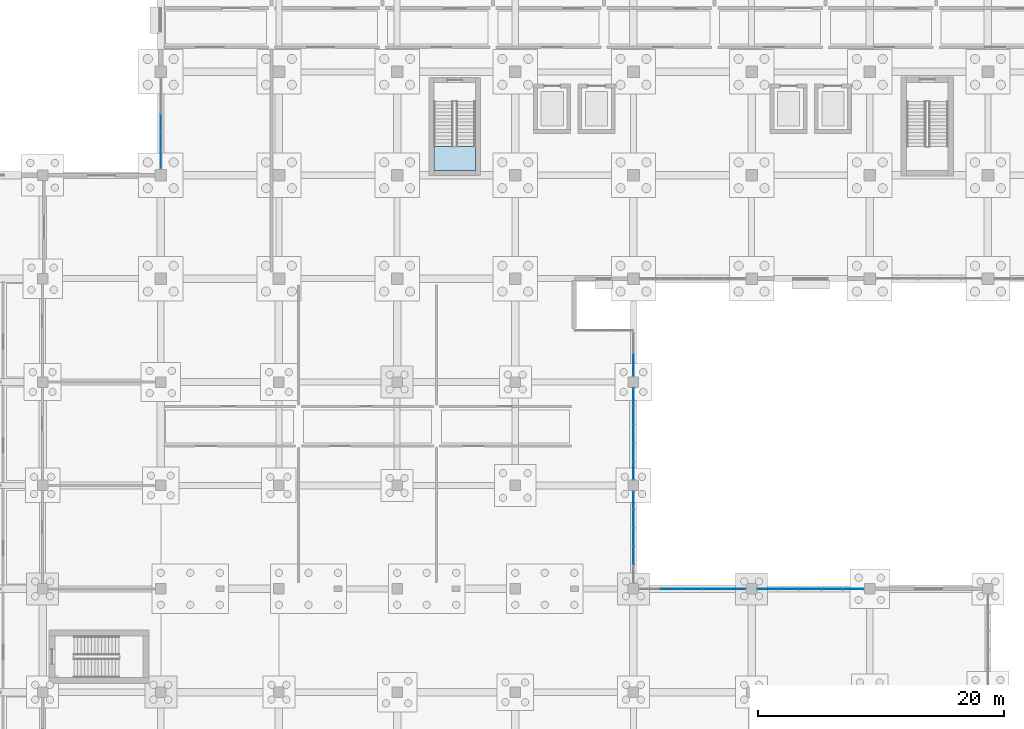
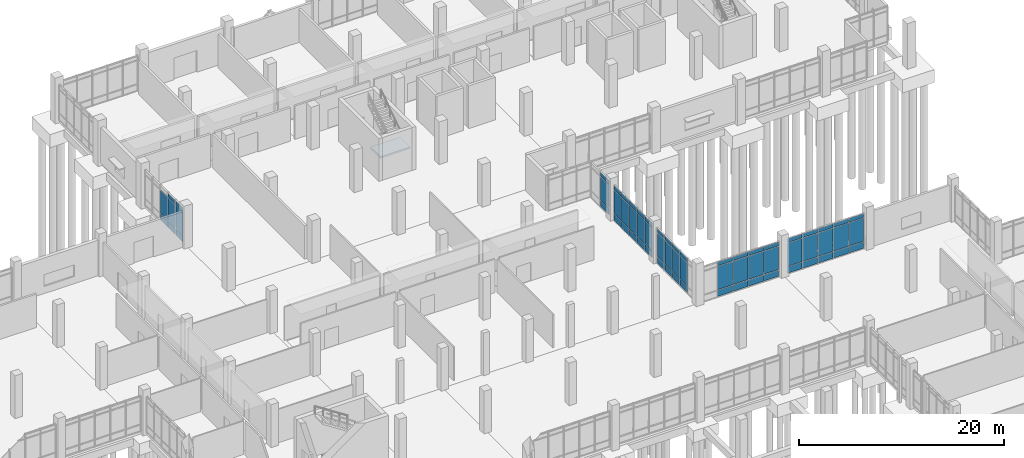
# One storey, part 87 of 136: 65 plates, 1 slab, 7 elements without a shape of their own.
"""IFC4 building model written with IfcOpenShell, lengths in metres."""

from ifc_helpers import new_model, si_unit, direction, frame, origin, origin_2d, place, context, subcontext, project, spatial, polyline, rectangle, outline, extrude, material, layer, layer_set, type_object, element, aggregate, save


model = new_model("IFC4")

# Units and contexts
model_context = context("Model", 3, precision=1e-05, world=origin(), true_north=direction((0.0, 1.0)))
body_context = subcontext(model_context, "Body", "Model", "MODEL_VIEW")
ifc_project = project(units=[si_unit("LENGTHUNIT", "METRE"), si_unit("AREAUNIT", "SQUARE_METRE"), si_unit("VOLUMEUNIT", "CUBIC_METRE"), si_unit("PLANEANGLEUNIT", "RADIAN"), si_unit("MASSUNIT", "GRAM", prefix="KILO")], contexts=[model_context])

# Site, building, storey
site_placement = place(None, origin())
site = spatial("IfcSite", under=ifc_project, at=site_placement, CompositionType="ELEMENT")
building_placement = place(site_placement, origin())
building = spatial("IfcBuilding", under=site, at=building_placement, Name="Oolite Switchyard Hospital", CompositionType="ELEMENT")
storey_placement = place(building_placement, origin())
storey = spatial("IfcBuildingStorey", under=building, at=storey_placement, Name="L00", CompositionType="ELEMENT", Elevation=0.0)

# Curtain wall, plates
ifc_material_1 = material(Name="Thermally broken aluminum frame with laminated impact glazing", Category="aluminium")
curtain_wall_type_1 = type_object("IfcCurtainWallType", Name="CW-UNIT-96X51", PredefinedType="USERDEFINED", material=ifc_material_1)
curtain_wall_1_placement = place(storey_placement, origin())
curtain_wall_1 = element("IfcCurtainWall", 1, at=curtain_wall_1_placement, inside=storey, type_object=curtain_wall_type_1, Name="L00 Unitised Curtain Wall 25", ObjectType="UNITISED", PredefinedType="USERDEFINED")
ifc_material_2 = material(Name="Insulated fluoropolymer-coated aluminum spandrel panel", Category="aluminium")
ifc_layer_1 = layer(ifc_material_2, 0.054931640625)
ifc_layer_set_1 = layer_set([ifc_layer_1], Name="CW-PNL-SPN55")
plate_type_1 = type_object("IfcPlateType", Name="CW-PNL-SPN55", PredefinedType="CURTAIN_PANEL", material=ifc_layer_set_1)
plate_1_placement = place(storey_placement, frame((175.85595703125, 75.60009765625, 0.0751953125), z_axis=(0.0, 0.0, 1.0), x_axis=(1.0, 0.0, 0.0)))
plate_1 = element("IfcPlate", 2, at=plate_1_placement, type_object=plate_type_1, Name="CW-01 panel 2.1", PredefinedType="CURTAIN_PANEL", context=body_context, shape_type="SweptSolid", body=[
    extrude(rectangle(XDim=1.674072265625, YDim=0.054931640625, at=origin_2d()), origin(), (0.0, 0.0, 1.0), 0.737548828125),
])
plate_2_placement = place(storey_placement, frame((175.85595703125, 75.60009765625, 0.8876953125), z_axis=(0.0, 0.0, 1.0), x_axis=(1.0, 0.0, 0.0)))
plate_2 = element("IfcPlate", 3, at=plate_2_placement, type_object=plate_type_1, Name="CW-01 panel 2.2", PredefinedType="CURTAIN_PANEL", context=body_context, shape_type="SweptSolid", body=[
    extrude(rectangle(XDim=1.674072265625, YDim=0.054931640625, at=origin_2d()), origin(), (0.0, 0.0, 1.0), 2.764892578125),
])
plate_3_placement = place(storey_placement, frame((175.85595703125, 75.60009765625, 3.7275390625), z_axis=(0.0, 0.0, 1.0), x_axis=(1.0, 0.0, 0.0)))
plate_3 = element("IfcPlate", 4, at=plate_3_placement, type_object=plate_type_1, Name="CW-01 panel 2.3", PredefinedType="CURTAIN_PANEL", context=body_context, shape_type="SweptSolid", body=[
    extrude(rectangle(XDim=1.674072265625, YDim=0.054931640625, at=origin_2d()), origin(), (0.0, 0.0, 1.0), 0.4375),
])
plate_4_placement = place(storey_placement, frame((177.60009765625, 75.60009765625, 0.0751953125), z_axis=(0.0, 0.0, 1.0), x_axis=(1.0, 0.0, 0.0)))
plate_4 = element("IfcPlate", 5, at=plate_4_placement, type_object=plate_type_1, Name="CW-01 panel 3.1", PredefinedType="CURTAIN_PANEL", context=body_context, shape_type="SweptSolid", body=[
    extrude(rectangle(XDim=1.674072265625, YDim=0.054931640625, at=origin_2d()), origin(), (0.0, 0.0, 1.0), 0.737548828125),
])
plate_5_placement = place(storey_placement, frame((177.60009765625, 75.60009765625, 0.8876953125), z_axis=(0.0, 0.0, 1.0), x_axis=(1.0, 0.0, 0.0)))
plate_5 = element("IfcPlate", 6, at=plate_5_placement, type_object=plate_type_1, Name="CW-01 panel 3.2", PredefinedType="CURTAIN_PANEL", context=body_context, shape_type="SweptSolid", body=[
    extrude(rectangle(XDim=1.674072265625, YDim=0.054931640625, at=origin_2d()), origin(), (0.0, 0.0, 1.0), 2.764892578125),
])
plate_6_placement = place(storey_placement, frame((177.60009765625, 75.60009765625, 3.7275390625), z_axis=(0.0, 0.0, 1.0), x_axis=(1.0, 0.0, 0.0)))
plate_6 = element("IfcPlate", 7, at=plate_6_placement, type_object=plate_type_1, Name="CW-01 panel 3.3", PredefinedType="CURTAIN_PANEL", context=body_context, shape_type="SweptSolid", body=[
    extrude(rectangle(XDim=1.674072265625, YDim=0.054931640625, at=origin_2d()), origin(), (0.0, 0.0, 1.0), 0.4375),
])
plate_7_placement = place(storey_placement, frame((179.343994140625, 75.60009765625, 0.0751953125), z_axis=(0.0, 0.0, 1.0), x_axis=(1.0, 0.0, 0.0)))
plate_7 = element("IfcPlate", 8, at=plate_7_placement, type_object=plate_type_1, Name="CW-01 panel 4.1", PredefinedType="CURTAIN_PANEL", context=body_context, shape_type="SweptSolid", body=[
    extrude(rectangle(XDim=1.674072265625, YDim=0.054931640625, at=origin_2d()), origin(), (0.0, 0.0, 1.0), 0.737548828125),
])
plate_8_placement = place(storey_placement, frame((179.343994140625, 75.60009765625, 0.8876953125), z_axis=(0.0, 0.0, 1.0), x_axis=(1.0, 0.0, 0.0)))
plate_8 = element("IfcPlate", 9, at=plate_8_placement, type_object=plate_type_1, Name="CW-01 panel 4.2", PredefinedType="CURTAIN_PANEL", context=body_context, shape_type="SweptSolid", body=[
    extrude(rectangle(XDim=1.674072265625, YDim=0.054931640625, at=origin_2d()), origin(), (0.0, 0.0, 1.0), 2.764892578125),
])
plate_9_placement = place(storey_placement, frame((179.343994140625, 75.60009765625, 3.7275390625), z_axis=(0.0, 0.0, 1.0), x_axis=(1.0, 0.0, 0.0)))
plate_9 = element("IfcPlate", 10, at=plate_9_placement, type_object=plate_type_1, Name="CW-01 panel 4.3", PredefinedType="CURTAIN_PANEL", context=body_context, shape_type="SweptSolid", body=[
    extrude(rectangle(XDim=1.674072265625, YDim=0.054931640625, at=origin_2d()), origin(), (0.0, 0.0, 1.0), 0.4375),
])
plate_10_placement = place(storey_placement, frame((181.070556640625, 75.60009765625, 0.0751953125), z_axis=(0.0, 0.0, 1.0), x_axis=(1.0, 0.0, 0.0)))
plate_10 = element("IfcPlate", 11, at=plate_10_placement, type_object=plate_type_1, Name="CW-01 panel 5.1", PredefinedType="CURTAIN_PANEL", context=body_context, shape_type="SweptSolid", body=[
    extrude(rectangle(XDim=1.638916015625, YDim=0.054931640625, at=origin_2d()), origin(), (0.0, 0.0, 1.0), 0.737548828125),
])
plate_11_placement = place(storey_placement, frame((181.070556640625, 75.60009765625, 0.8876953125), z_axis=(0.0, 0.0, 1.0), x_axis=(1.0, 0.0, 0.0)))
plate_11 = element("IfcPlate", 12, at=plate_11_placement, type_object=plate_type_1, Name="CW-01 panel 5.2", PredefinedType="CURTAIN_PANEL", context=body_context, shape_type="SweptSolid", body=[
    extrude(rectangle(XDim=1.638916015625, YDim=0.054931640625, at=origin_2d()), origin(), (0.0, 0.0, 1.0), 2.764892578125),
])
plate_12_placement = place(storey_placement, frame((181.070556640625, 75.60009765625, 3.7275390625), z_axis=(0.0, 0.0, 1.0), x_axis=(1.0, 0.0, 0.0)))
plate_12 = element("IfcPlate", 13, at=plate_12_placement, type_object=plate_type_1, Name="CW-01 panel 5.3", PredefinedType="CURTAIN_PANEL", context=body_context, shape_type="SweptSolid", body=[
    extrude(rectangle(XDim=1.638916015625, YDim=0.054931640625, at=origin_2d()), origin(), (0.0, 0.0, 1.0), 0.4375),
])
aggregate(curtain_wall_1, [plate_1, plate_2, plate_3, plate_4, plate_5, plate_6, plate_7, plate_8, plate_9, plate_10, plate_11, plate_12])

curtain_wall_type_2 = type_object("IfcCurtainWallType", Name="CW-UNIT-84X51", PredefinedType="USERDEFINED", material=ifc_material_1)
curtain_wall_2_placement = place(storey_placement, origin())
curtain_wall_2 = element("IfcCurtainWall", 14, at=curtain_wall_2_placement, inside=storey, type_object=curtain_wall_type_2, Name="L00 Unitised Curtain Wall 80", ObjectType="UNITISED", PredefinedType="USERDEFINED")
ifc_layer_2 = layer(ifc_material_2, 0.070068359375)
ifc_layer_set_2 = layer_set([ifc_layer_2], Name="CW-PNL-SPN70")
plate_type_2 = type_object("IfcPlateType", Name="CW-PNL-SPN70", PredefinedType="CURTAIN_PANEL", material=ifc_layer_set_2)
plate_13_placement = place(storey_placement, frame((172.800048828125, 91.189208984375, 0.06005859375), z_axis=(0.0, 0.0, 1.0), x_axis=(0.0, -1.0, 0.0)))
plate_13 = element("IfcPlate", 15, at=plate_13_placement, type_object=plate_type_2, Name="CW-06 panel 1.1", PredefinedType="CURTAIN_PANEL", context=body_context, shape_type="SweptSolid", body=[
    extrude(rectangle(XDim=1.3916015625, YDim=0.070068359375, at=origin_2d()), origin(), (0.0, 0.0, 1.0), 0.760009765625),
])
plate_14_placement = place(storey_placement, frame((172.800048828125, 91.189208984375, 0.8798828125), z_axis=(0.0, 0.0, 1.0), x_axis=(0.0, -1.0, 0.0)))
plate_14 = element("IfcPlate", 16, at=plate_14_placement, type_object=plate_type_2, Name="CW-06 panel 1.2", PredefinedType="CURTAIN_PANEL", context=body_context, shape_type="SweptSolid", body=[
    extrude(rectangle(XDim=1.3916015625, YDim=0.070068359375, at=origin_2d()), origin(), (0.0, 0.0, 1.0), 2.780029296875),
])
plate_15_placement = place(storey_placement, frame((172.800048828125, 91.189208984375, 3.719970703125), z_axis=(0.0, 0.0, 1.0), x_axis=(0.0, -1.0, 0.0)))
plate_15 = element("IfcPlate", 17, at=plate_15_placement, type_object=plate_type_2, Name="CW-06 panel 1.3", PredefinedType="CURTAIN_PANEL", context=body_context, shape_type="SweptSolid", body=[
    extrude(rectangle(XDim=1.3916015625, YDim=0.070068359375, at=origin_2d()), origin(), (0.0, 0.0, 1.0), 0.4599609375),
])
plate_16_placement = place(storey_placement, frame((172.800048828125, 89.7041015625, 0.06005859375), z_axis=(0.0, 0.0, 1.0), x_axis=(0.0, -1.0, 0.0)))
plate_16 = element("IfcPlate", 18, at=plate_16_placement, type_object=plate_type_2, Name="CW-06 panel 2.1", PredefinedType="CURTAIN_PANEL", context=body_context, shape_type="SweptSolid", body=[
    extrude(rectangle(XDim=1.428955078125, YDim=0.070068359375, at=origin_2d()), origin(), (0.0, 0.0, 1.0), 0.760009765625),
])
plate_17_placement = place(storey_placement, frame((172.800048828125, 89.7041015625, 0.8798828125), z_axis=(0.0, 0.0, 1.0), x_axis=(0.0, -1.0, 0.0)))
plate_17 = element("IfcPlate", 19, at=plate_17_placement, type_object=plate_type_2, Name="CW-06 panel 2.2", PredefinedType="CURTAIN_PANEL", context=body_context, shape_type="SweptSolid", body=[
    extrude(rectangle(XDim=1.428955078125, YDim=0.070068359375, at=origin_2d()), origin(), (0.0, 0.0, 1.0), 2.780029296875),
])
plate_18_placement = place(storey_placement, frame((172.800048828125, 89.7041015625, 3.719970703125), z_axis=(0.0, 0.0, 1.0), x_axis=(0.0, -1.0, 0.0)))
plate_18 = element("IfcPlate", 20, at=plate_18_placement, type_object=plate_type_2, Name="CW-06 panel 2.3", PredefinedType="CURTAIN_PANEL", context=body_context, shape_type="SweptSolid", body=[
    extrude(rectangle(XDim=1.428955078125, YDim=0.070068359375, at=origin_2d()), origin(), (0.0, 0.0, 1.0), 0.4599609375),
])
plate_19_placement = place(storey_placement, frame((172.800048828125, 88.199951171875, 0.06005859375), z_axis=(0.0, 0.0, 1.0), x_axis=(0.0, -1.0, 0.0)))
plate_19 = element("IfcPlate", 21, at=plate_19_placement, type_object=plate_type_2, Name="CW-06 panel 3.1", PredefinedType="CURTAIN_PANEL", context=body_context, shape_type="SweptSolid", body=[
    extrude(rectangle(XDim=1.428955078125, YDim=0.070068359375, at=origin_2d()), origin(), (0.0, 0.0, 1.0), 0.760009765625),
])
plate_20_placement = place(storey_placement, frame((172.800048828125, 88.199951171875, 0.8798828125), z_axis=(0.0, 0.0, 1.0), x_axis=(0.0, -1.0, 0.0)))
plate_20 = element("IfcPlate", 22, at=plate_20_placement, type_object=plate_type_2, Name="CW-06 panel 3.2", PredefinedType="CURTAIN_PANEL", context=body_context, shape_type="SweptSolid", body=[
    extrude(rectangle(XDim=1.428955078125, YDim=0.070068359375, at=origin_2d()), origin(), (0.0, 0.0, 1.0), 2.780029296875),
])
plate_21_placement = place(storey_placement, frame((172.800048828125, 88.199951171875, 3.719970703125), z_axis=(0.0, 0.0, 1.0), x_axis=(0.0, -1.0, 0.0)))
plate_21 = element("IfcPlate", 23, at=plate_21_placement, type_object=plate_type_2, Name="CW-06 panel 3.3", PredefinedType="CURTAIN_PANEL", context=body_context, shape_type="SweptSolid", body=[
    extrude(rectangle(XDim=1.428955078125, YDim=0.070068359375, at=origin_2d()), origin(), (0.0, 0.0, 1.0), 0.4599609375),
])
plate_22_placement = place(storey_placement, frame((172.800048828125, 86.696044921875, 0.06005859375), z_axis=(0.0, 0.0, 1.0), x_axis=(0.0, -1.0, 0.0)))
plate_22 = element("IfcPlate", 24, at=plate_22_placement, type_object=plate_type_2, Name="CW-06 panel 4.1", PredefinedType="CURTAIN_PANEL", context=body_context, shape_type="SweptSolid", body=[
    extrude(rectangle(XDim=1.428955078125, YDim=0.070068359375, at=origin_2d()), origin(), (0.0, 0.0, 1.0), 0.760009765625),
])
plate_23_placement = place(storey_placement, frame((172.800048828125, 86.696044921875, 0.8798828125), z_axis=(0.0, 0.0, 1.0), x_axis=(0.0, -1.0, 0.0)))
plate_23 = element("IfcPlate", 25, at=plate_23_placement, type_object=plate_type_2, Name="CW-06 panel 4.2", PredefinedType="CURTAIN_PANEL", context=body_context, shape_type="SweptSolid", body=[
    extrude(rectangle(XDim=1.428955078125, YDim=0.070068359375, at=origin_2d()), origin(), (0.0, 0.0, 1.0), 2.780029296875),
])
plate_24_placement = place(storey_placement, frame((172.800048828125, 86.696044921875, 3.719970703125), z_axis=(0.0, 0.0, 1.0), x_axis=(0.0, -1.0, 0.0)))
plate_24 = element("IfcPlate", 26, at=plate_24_placement, type_object=plate_type_2, Name="CW-06 panel 4.3", PredefinedType="CURTAIN_PANEL", context=body_context, shape_type="SweptSolid", body=[
    extrude(rectangle(XDim=1.428955078125, YDim=0.070068359375, at=origin_2d()), origin(), (0.0, 0.0, 1.0), 0.4599609375),
])
plate_25_placement = place(storey_placement, frame((172.800048828125, 85.210693359375, 0.06005859375), z_axis=(0.0, 0.0, 1.0), x_axis=(0.0, -1.0, 0.0)))
plate_25 = element("IfcPlate", 27, at=plate_25_placement, type_object=plate_type_2, Name="CW-06 panel 5.1", PredefinedType="CURTAIN_PANEL", context=body_context, shape_type="SweptSolid", body=[
    extrude(rectangle(XDim=1.3916015625, YDim=0.070068359375, at=origin_2d()), origin(), (0.0, 0.0, 1.0), 0.760009765625),
])
plate_26_placement = place(storey_placement, frame((172.800048828125, 85.210693359375, 0.8798828125), z_axis=(0.0, 0.0, 1.0), x_axis=(0.0, -1.0, 0.0)))
plate_26 = element("IfcPlate", 28, at=plate_26_placement, type_object=plate_type_2, Name="CW-06 panel 5.2", PredefinedType="CURTAIN_PANEL", context=body_context, shape_type="SweptSolid", body=[
    extrude(rectangle(XDim=1.3916015625, YDim=0.070068359375, at=origin_2d()), origin(), (0.0, 0.0, 1.0), 2.780029296875),
])
plate_27_placement = place(storey_placement, frame((172.800048828125, 85.210693359375, 3.719970703125), z_axis=(0.0, 0.0, 1.0), x_axis=(0.0, -1.0, 0.0)))
plate_27 = element("IfcPlate", 29, at=plate_27_placement, type_object=plate_type_2, Name="CW-06 panel 5.3", PredefinedType="CURTAIN_PANEL", context=body_context, shape_type="SweptSolid", body=[
    extrude(rectangle(XDim=1.3916015625, YDim=0.070068359375, at=origin_2d()), origin(), (0.0, 0.0, 1.0), 0.4599609375),
])
aggregate(curtain_wall_2, [plate_13, plate_14, plate_15, plate_16, plate_17, plate_18, plate_19, plate_20, plate_21, plate_22, plate_23, plate_24, plate_25, plate_26, plate_27])

curtain_wall_3_placement = place(storey_placement, origin())
curtain_wall_3 = element("IfcCurtainWall", 30, at=curtain_wall_3_placement, inside=storey, type_object=curtain_wall_type_1, Name="L00 Unitised Curtain Wall 26", ObjectType="UNITISED", PredefinedType="USERDEFINED")
ifc_material_3 = material(Name="Laminated hurricane-impact insulated glazing unit", Category="glass")
ifc_layer_3 = layer(ifc_material_3, 0.028076171875)
ifc_layer_set_3 = layer_set([ifc_layer_3], Name="CW-PNL-VIS28")
plate_type_3 = type_object("IfcPlateType", Name="CW-PNL-VIS28", PredefinedType="CURTAIN_PANEL", material=ifc_layer_set_3)
plate_28_placement = place(storey_placement, frame((183.730712890625, 75.60009765625, 0.06005859375), z_axis=(0.0, 0.0, 1.0), x_axis=(1.0, 0.0, 0.0)))
plate_28 = element("IfcPlate", 31, at=plate_28_placement, type_object=plate_type_3, Name="CW-01 panel 1.1", PredefinedType="CURTAIN_PANEL", context=body_context, shape_type="SweptSolid", body=[
    extrude(rectangle(XDim=1.631591796875, YDim=0.028076171875, at=origin_2d()), origin(), (0.0, 0.0, 1.0), 0.760009765625),
])
plate_29_placement = place(storey_placement, frame((183.730712890625, 75.60009765625, 0.8798828125), z_axis=(0.0, 0.0, 1.0), x_axis=(1.0, 0.0, 0.0)))
plate_29 = element("IfcPlate", 32, at=plate_29_placement, type_object=plate_type_3, Name="CW-01 panel 1.2", PredefinedType="CURTAIN_PANEL", context=body_context, shape_type="SweptSolid", body=[
    extrude(rectangle(XDim=1.631591796875, YDim=0.028076171875, at=origin_2d()), origin(), (0.0, 0.0, 1.0), 2.780029296875),
])
plate_30_placement = place(storey_placement, frame((183.730712890625, 75.60009765625, 3.719970703125), z_axis=(0.0, 0.0, 1.0), x_axis=(1.0, 0.0, 0.0)))
plate_30 = element("IfcPlate", 33, at=plate_30_placement, type_object=plate_type_3, Name="CW-01 panel 1.3", PredefinedType="CURTAIN_PANEL", context=body_context, shape_type="SweptSolid", body=[
    extrude(rectangle(XDim=1.631591796875, YDim=0.028076171875, at=origin_2d()), origin(), (0.0, 0.0, 1.0), 0.4599609375),
])
plate_31_placement = place(storey_placement, frame((185.4560546875, 75.60009765625, 0.06005859375), z_axis=(0.0, 0.0, 1.0), x_axis=(1.0, 0.0, 0.0)))
plate_31 = element("IfcPlate", 34, at=plate_31_placement, type_object=plate_type_3, Name="CW-01 panel 2.1", PredefinedType="CURTAIN_PANEL", context=body_context, shape_type="SweptSolid", body=[
    extrude(rectangle(XDim=1.6689453125, YDim=0.028076171875, at=origin_2d()), origin(), (0.0, 0.0, 1.0), 0.760009765625),
])
plate_32_placement = place(storey_placement, frame((185.4560546875, 75.60009765625, 0.8798828125), z_axis=(0.0, 0.0, 1.0), x_axis=(1.0, 0.0, 0.0)))
plate_32 = element("IfcPlate", 35, at=plate_32_placement, type_object=plate_type_3, Name="CW-01 panel 2.2", PredefinedType="CURTAIN_PANEL", context=body_context, shape_type="SweptSolid", body=[
    extrude(rectangle(XDim=1.6689453125, YDim=0.028076171875, at=origin_2d()), origin(), (0.0, 0.0, 1.0), 2.780029296875),
])
plate_33_placement = place(storey_placement, frame((185.4560546875, 75.60009765625, 3.719970703125), z_axis=(0.0, 0.0, 1.0), x_axis=(1.0, 0.0, 0.0)))
plate_33 = element("IfcPlate", 36, at=plate_33_placement, type_object=plate_type_3, Name="CW-01 panel 2.3", PredefinedType="CURTAIN_PANEL", context=body_context, shape_type="SweptSolid", body=[
    extrude(rectangle(XDim=1.6689453125, YDim=0.028076171875, at=origin_2d()), origin(), (0.0, 0.0, 1.0), 0.4599609375),
])
plate_34_placement = place(storey_placement, frame((187.199951171875, 75.60009765625, 0.06005859375), z_axis=(0.0, 0.0, 1.0), x_axis=(1.0, 0.0, 0.0)))
plate_34 = element("IfcPlate", 37, at=plate_34_placement, type_object=plate_type_3, Name="CW-01 panel 3.1", PredefinedType="CURTAIN_PANEL", context=body_context, shape_type="SweptSolid", body=[
    extrude(rectangle(XDim=1.6689453125, YDim=0.028076171875, at=origin_2d()), origin(), (0.0, 0.0, 1.0), 0.760009765625),
])
plate_35_placement = place(storey_placement, frame((187.199951171875, 75.60009765625, 0.8798828125), z_axis=(0.0, 0.0, 1.0), x_axis=(1.0, 0.0, 0.0)))
plate_35 = element("IfcPlate", 38, at=plate_35_placement, type_object=plate_type_3, Name="CW-01 panel 3.2", PredefinedType="CURTAIN_PANEL", context=body_context, shape_type="SweptSolid", body=[
    extrude(rectangle(XDim=1.6689453125, YDim=0.028076171875, at=origin_2d()), origin(), (0.0, 0.0, 1.0), 2.780029296875),
])
plate_36_placement = place(storey_placement, frame((187.199951171875, 75.60009765625, 3.719970703125), z_axis=(0.0, 0.0, 1.0), x_axis=(1.0, 0.0, 0.0)))
plate_36 = element("IfcPlate", 39, at=plate_36_placement, type_object=plate_type_3, Name="CW-01 panel 3.3", PredefinedType="CURTAIN_PANEL", context=body_context, shape_type="SweptSolid", body=[
    extrude(rectangle(XDim=1.6689453125, YDim=0.028076171875, at=origin_2d()), origin(), (0.0, 0.0, 1.0), 0.4599609375),
])
plate_37_placement = place(storey_placement, frame((188.944091796875, 75.60009765625, 0.06005859375), z_axis=(0.0, 0.0, 1.0), x_axis=(1.0, 0.0, 0.0)))
plate_37 = element("IfcPlate", 40, at=plate_37_placement, type_object=plate_type_3, Name="CW-01 panel 4.1", PredefinedType="CURTAIN_PANEL", context=body_context, shape_type="SweptSolid", body=[
    extrude(rectangle(XDim=1.6689453125, YDim=0.028076171875, at=origin_2d()), origin(), (0.0, 0.0, 1.0), 0.760009765625),
])
plate_38_placement = place(storey_placement, frame((188.944091796875, 75.60009765625, 0.8798828125), z_axis=(0.0, 0.0, 1.0), x_axis=(1.0, 0.0, 0.0)))
plate_38 = element("IfcPlate", 41, at=plate_38_placement, type_object=plate_type_3, Name="CW-01 panel 4.2", PredefinedType="CURTAIN_PANEL", context=body_context, shape_type="SweptSolid", body=[
    extrude(rectangle(XDim=1.6689453125, YDim=0.028076171875, at=origin_2d()), origin(), (0.0, 0.0, 1.0), 2.780029296875),
])
plate_39_placement = place(storey_placement, frame((188.944091796875, 75.60009765625, 3.719970703125), z_axis=(0.0, 0.0, 1.0), x_axis=(1.0, 0.0, 0.0)))
plate_39 = element("IfcPlate", 42, at=plate_39_placement, type_object=plate_type_3, Name="CW-01 panel 4.3", PredefinedType="CURTAIN_PANEL", context=body_context, shape_type="SweptSolid", body=[
    extrude(rectangle(XDim=1.6689453125, YDim=0.028076171875, at=origin_2d()), origin(), (0.0, 0.0, 1.0), 0.4599609375),
])
plate_40_placement = place(storey_placement, frame((190.669189453125, 75.60009765625, 0.06005859375), z_axis=(0.0, 0.0, 1.0), x_axis=(1.0, 0.0, 0.0)))
plate_40 = element("IfcPlate", 43, at=plate_40_placement, type_object=plate_type_3, Name="CW-01 panel 5.1", PredefinedType="CURTAIN_PANEL", context=body_context, shape_type="SweptSolid", body=[
    extrude(rectangle(XDim=1.631591796875, YDim=0.028076171875, at=origin_2d()), origin(), (0.0, 0.0, 1.0), 0.760009765625),
])
plate_41_placement = place(storey_placement, frame((190.669189453125, 75.60009765625, 0.8798828125), z_axis=(0.0, 0.0, 1.0), x_axis=(1.0, 0.0, 0.0)))
plate_41 = element("IfcPlate", 44, at=plate_41_placement, type_object=plate_type_3, Name="CW-01 panel 5.2", PredefinedType="CURTAIN_PANEL", context=body_context, shape_type="SweptSolid", body=[
    extrude(rectangle(XDim=1.631591796875, YDim=0.028076171875, at=origin_2d()), origin(), (0.0, 0.0, 1.0), 2.780029296875),
])
plate_42_placement = place(storey_placement, frame((190.669189453125, 75.60009765625, 3.719970703125), z_axis=(0.0, 0.0, 1.0), x_axis=(1.0, 0.0, 0.0)))
plate_42 = element("IfcPlate", 45, at=plate_42_placement, type_object=plate_type_3, Name="CW-01 panel 5.3", PredefinedType="CURTAIN_PANEL", context=body_context, shape_type="SweptSolid", body=[
    extrude(rectangle(XDim=1.631591796875, YDim=0.028076171875, at=origin_2d()), origin(), (0.0, 0.0, 1.0), 0.4599609375),
])
aggregate(curtain_wall_3, [plate_28, plate_29, plate_30, plate_31, plate_32, plate_33, plate_34, plate_35, plate_36, plate_37, plate_38, plate_39, plate_40, plate_41, plate_42])

curtain_wall_4_placement = place(storey_placement, origin())
curtain_wall_4 = element("IfcCurtainWall", 46, at=curtain_wall_4_placement, inside=storey, type_object=curtain_wall_type_2, Name="L00 Unitised Curtain Wall 73", ObjectType="UNITISED", PredefinedType="USERDEFINED")
ifc_layer_4 = layer(ifc_material_3, 0.031982421875)
ifc_layer_set_4 = layer_set([ifc_layer_4], Name="CW-PNL-VIS32")
plate_type_4 = type_object("IfcPlateType", Name="CW-PNL-VIS32", PredefinedType="CURTAIN_PANEL", material=ifc_layer_set_4)
plate_43_placement = place(storey_placement, frame((134.39990234375, 110.449462890625, 0.0751953125), z_axis=(0.0, 0.0, 1.0), x_axis=(0.0, 1.0, 0.0)))
plate_43 = element("IfcPlate", 47, at=plate_43_placement, type_object=plate_type_4, Name="CW-06 panel 1.1", PredefinedType="CURTAIN_PANEL", context=body_context, shape_type="SweptSolid", body=[
    extrude(rectangle(XDim=1.37890625, YDim=0.031982421875, at=origin_2d()), origin(), (0.0, 0.0, 1.0), 0.737548828125),
])
plate_44_placement = place(storey_placement, frame((134.39990234375, 110.449462890625, 0.8876953125), z_axis=(0.0, 0.0, 1.0), x_axis=(0.0, 1.0, 0.0)))
plate_44 = element("IfcPlate", 48, at=plate_44_placement, type_object=plate_type_4, Name="CW-06 panel 1.2", PredefinedType="CURTAIN_PANEL", context=body_context, shape_type="SweptSolid", body=[
    extrude(rectangle(XDim=1.37890625, YDim=0.031982421875, at=origin_2d()), origin(), (0.0, 0.0, 1.0), 2.764892578125),
])
plate_45_placement = place(storey_placement, frame((134.39990234375, 110.449462890625, 3.7275390625), z_axis=(0.0, 0.0, 1.0), x_axis=(0.0, 1.0, 0.0)))
plate_45 = element("IfcPlate", 49, at=plate_45_placement, type_object=plate_type_4, Name="CW-06 panel 1.3", PredefinedType="CURTAIN_PANEL", context=body_context, shape_type="SweptSolid", body=[
    extrude(rectangle(XDim=1.37890625, YDim=0.031982421875, at=origin_2d()), origin(), (0.0, 0.0, 1.0), 0.4375),
])
plate_46_placement = place(storey_placement, frame((134.39990234375, 111.916015625, 0.0751953125), z_axis=(0.0, 0.0, 1.0), x_axis=(0.0, 1.0, 0.0)))
plate_46 = element("IfcPlate", 50, at=plate_46_placement, type_object=plate_type_4, Name="CW-06 panel 2.1", PredefinedType="CURTAIN_PANEL", context=body_context, shape_type="SweptSolid", body=[
    extrude(rectangle(XDim=1.4140625, YDim=0.031982421875, at=origin_2d()), origin(), (0.0, 0.0, 1.0), 0.737548828125),
])
plate_47_placement = place(storey_placement, frame((134.39990234375, 111.916015625, 0.8876953125), z_axis=(0.0, 0.0, 1.0), x_axis=(0.0, 1.0, 0.0)))
plate_47 = element("IfcPlate", 51, at=plate_47_placement, type_object=plate_type_4, Name="CW-06 panel 2.2", PredefinedType="CURTAIN_PANEL", context=body_context, shape_type="SweptSolid", body=[
    extrude(rectangle(XDim=1.4140625, YDim=0.031982421875, at=origin_2d()), origin(), (0.0, 0.0, 1.0), 2.764892578125),
])
plate_48_placement = place(storey_placement, frame((134.39990234375, 111.916015625, 3.7275390625), z_axis=(0.0, 0.0, 1.0), x_axis=(0.0, 1.0, 0.0)))
plate_48 = element("IfcPlate", 52, at=plate_48_placement, type_object=plate_type_4, Name="CW-06 panel 2.3", PredefinedType="CURTAIN_PANEL", context=body_context, shape_type="SweptSolid", body=[
    extrude(rectangle(XDim=1.4140625, YDim=0.031982421875, at=origin_2d()), origin(), (0.0, 0.0, 1.0), 0.4375),
])
plate_49_placement = place(storey_placement, frame((134.39990234375, 113.39990234375, 0.0751953125), z_axis=(0.0, 0.0, 1.0), x_axis=(0.0, 1.0, 0.0)))
plate_49 = element("IfcPlate", 53, at=plate_49_placement, type_object=plate_type_4, Name="CW-06 panel 3.1", PredefinedType="CURTAIN_PANEL", context=body_context, shape_type="SweptSolid", body=[
    extrude(rectangle(XDim=1.4140625, YDim=0.031982421875, at=origin_2d()), origin(), (0.0, 0.0, 1.0), 0.737548828125),
])
plate_50_placement = place(storey_placement, frame((134.39990234375, 113.39990234375, 0.8876953125), z_axis=(0.0, 0.0, 1.0), x_axis=(0.0, 1.0, 0.0)))
plate_50 = element("IfcPlate", 54, at=plate_50_placement, type_object=plate_type_4, Name="CW-06 panel 3.2", PredefinedType="CURTAIN_PANEL", context=body_context, shape_type="SweptSolid", body=[
    extrude(rectangle(XDim=1.4140625, YDim=0.031982421875, at=origin_2d()), origin(), (0.0, 0.0, 1.0), 2.764892578125),
])
aggregate(curtain_wall_4, [plate_43, plate_44, plate_45, plate_46, plate_47, plate_48, plate_49, plate_50])

curtain_wall_5_placement = place(storey_placement, origin())
curtain_wall_5 = element("IfcCurtainWall", 55, at=curtain_wall_5_placement, inside=storey, type_object=curtain_wall_type_2, Name="L00 Unitised Curtain Wall 81", ObjectType="UNITISED", PredefinedType="USERDEFINED")
plate_51_placement = place(storey_placement, frame((172.800048828125, 93.7548828125, 0.0751953125), z_axis=(0.0, 0.0, 1.0), x_axis=(0.0, -1.0, 0.0)))
plate_51 = element("IfcPlate", 56, at=plate_51_placement, type_object=plate_type_4, Name="CW-06 panel 2.1", PredefinedType="CURTAIN_PANEL", context=body_context, shape_type="SweptSolid", body=[
    extrude(rectangle(XDim=1.7099609375, YDim=0.031982421875, at=origin_2d()), origin(), (0.0, 0.0, 1.0), 0.737548828125),
])
plate_52_placement = place(storey_placement, frame((172.800048828125, 93.7548828125, 0.8876953125), z_axis=(0.0, 0.0, 1.0), x_axis=(0.0, -1.0, 0.0)))
plate_52 = element("IfcPlate", 57, at=plate_52_placement, type_object=plate_type_4, Name="CW-06 panel 2.2", PredefinedType="CURTAIN_PANEL", context=body_context, shape_type="SweptSolid", body=[
    extrude(rectangle(XDim=1.7099609375, YDim=0.031982421875, at=origin_2d()), origin(), (0.0, 0.0, 1.0), 2.764892578125),
])
plate_53_placement = place(storey_placement, frame((172.800048828125, 93.7548828125, 3.7275390625), z_axis=(0.0, 0.0, 1.0), x_axis=(0.0, -1.0, 0.0)))
plate_53 = element("IfcPlate", 58, at=plate_53_placement, type_object=plate_type_4, Name="CW-06 panel 2.3", PredefinedType="CURTAIN_PANEL", context=body_context, shape_type="SweptSolid", body=[
    extrude(rectangle(XDim=1.7099609375, YDim=0.031982421875, at=origin_2d()), origin(), (0.0, 0.0, 1.0), 0.4375),
])
aggregate(curtain_wall_5, [plate_51, plate_52, plate_53])

curtain_wall_6_placement = place(storey_placement, origin())
curtain_wall_6 = element("IfcCurtainWall", 59, at=curtain_wall_6_placement, inside=storey, type_object=curtain_wall_type_2, Name="L00 Unitised Curtain Wall 79", ObjectType="UNITISED", PredefinedType="USERDEFINED")
ifc_layer_5 = layer(ifc_material_3, 0.0419921875)
ifc_layer_set_5 = layer_set([ifc_layer_5], Name="CW-PNL-VIS42")
plate_type_5 = type_object("IfcPlateType", Name="CW-PNL-VIS42", PredefinedType="CURTAIN_PANEL", material=ifc_layer_set_5)
plate_54_placement = place(storey_placement, frame((172.800048828125, 82.79052734375, 0.0751953125), z_axis=(0.0, 0.0, 1.0), x_axis=(0.0, -1.0, 0.0)))
plate_54 = element("IfcPlate", 60, at=plate_54_placement, type_object=plate_type_5, Name="CW-06 panel 1.1", PredefinedType="CURTAIN_PANEL", context=body_context, shape_type="SweptSolid", body=[
    extrude(rectangle(XDim=1.39892578125, YDim=0.0419921875, at=origin_2d()), origin(), (0.0, 0.0, 1.0), 0.737548828125),
])
plate_55_placement = place(storey_placement, frame((172.800048828125, 82.79052734375, 0.8876953125), z_axis=(0.0, 0.0, 1.0), x_axis=(0.0, -1.0, 0.0)))
plate_55 = element("IfcPlate", 61, at=plate_55_placement, type_object=plate_type_5, Name="CW-06 panel 1.2", PredefinedType="CURTAIN_PANEL", context=body_context, shape_type="SweptSolid", body=[
    extrude(rectangle(XDim=1.39892578125, YDim=0.0419921875, at=origin_2d()), origin(), (0.0, 0.0, 1.0), 2.764892578125),
])
plate_56_placement = place(storey_placement, frame((172.800048828125, 82.79052734375, 3.7275390625), z_axis=(0.0, 0.0, 1.0), x_axis=(0.0, -1.0, 0.0)))
plate_56 = element("IfcPlate", 62, at=plate_56_placement, type_object=plate_type_5, Name="CW-06 panel 1.3", PredefinedType="CURTAIN_PANEL", context=body_context, shape_type="SweptSolid", body=[
    extrude(rectangle(XDim=1.39892578125, YDim=0.0419921875, at=origin_2d()), origin(), (0.0, 0.0, 1.0), 0.4375),
])
plate_57_placement = place(storey_placement, frame((172.800048828125, 81.303955078125, 0.0751953125), z_axis=(0.0, 0.0, 1.0), x_axis=(0.0, -1.0, 0.0)))
plate_57 = element("IfcPlate", 63, at=plate_57_placement, type_object=plate_type_5, Name="CW-06 panel 2.1", PredefinedType="CURTAIN_PANEL", context=body_context, shape_type="SweptSolid", body=[
    extrude(rectangle(XDim=1.43408203125, YDim=0.0419921875, at=origin_2d()), origin(), (0.0, 0.0, 1.0), 0.737548828125),
])
plate_58_placement = place(storey_placement, frame((172.800048828125, 81.303955078125, 0.8876953125), z_axis=(0.0, 0.0, 1.0), x_axis=(0.0, -1.0, 0.0)))
plate_58 = element("IfcPlate", 64, at=plate_58_placement, type_object=plate_type_5, Name="CW-06 panel 2.2", PredefinedType="CURTAIN_PANEL", context=body_context, shape_type="SweptSolid", body=[
    extrude(rectangle(XDim=1.43408203125, YDim=0.0419921875, at=origin_2d()), origin(), (0.0, 0.0, 1.0), 2.764892578125),
])
plate_59_placement = place(storey_placement, frame((172.800048828125, 81.303955078125, 3.7275390625), z_axis=(0.0, 0.0, 1.0), x_axis=(0.0, -1.0, 0.0)))
plate_59 = element("IfcPlate", 65, at=plate_59_placement, type_object=plate_type_5, Name="CW-06 panel 2.3", PredefinedType="CURTAIN_PANEL", context=body_context, shape_type="SweptSolid", body=[
    extrude(rectangle(XDim=1.43408203125, YDim=0.0419921875, at=origin_2d()), origin(), (0.0, 0.0, 1.0), 0.4375),
])
plate_60_placement = place(storey_placement, frame((172.800048828125, 79.800048828125, 0.0751953125), z_axis=(0.0, 0.0, 1.0), x_axis=(0.0, -1.0, 0.0)))
plate_60 = element("IfcPlate", 66, at=plate_60_placement, type_object=plate_type_5, Name="CW-06 panel 3.1", PredefinedType="CURTAIN_PANEL", context=body_context, shape_type="SweptSolid", body=[
    extrude(rectangle(XDim=1.43408203125, YDim=0.0419921875, at=origin_2d()), origin(), (0.0, 0.0, 1.0), 0.737548828125),
])
plate_61_placement = place(storey_placement, frame((172.800048828125, 79.800048828125, 0.8876953125), z_axis=(0.0, 0.0, 1.0), x_axis=(0.0, -1.0, 0.0)))
plate_61 = element("IfcPlate", 67, at=plate_61_placement, type_object=plate_type_5, Name="CW-06 panel 3.2", PredefinedType="CURTAIN_PANEL", context=body_context, shape_type="SweptSolid", body=[
    extrude(rectangle(XDim=1.43408203125, YDim=0.0419921875, at=origin_2d()), origin(), (0.0, 0.0, 1.0), 2.764892578125),
])
plate_62_placement = place(storey_placement, frame((172.800048828125, 79.800048828125, 3.7275390625), z_axis=(0.0, 0.0, 1.0), x_axis=(0.0, -1.0, 0.0)))
plate_62 = element("IfcPlate", 68, at=plate_62_placement, type_object=plate_type_5, Name="CW-06 panel 3.3", PredefinedType="CURTAIN_PANEL", context=body_context, shape_type="SweptSolid", body=[
    extrude(rectangle(XDim=1.43408203125, YDim=0.0419921875, at=origin_2d()), origin(), (0.0, 0.0, 1.0), 0.4375),
])
plate_63_placement = place(storey_placement, frame((172.800048828125, 78.2958984375, 0.0751953125), z_axis=(0.0, 0.0, 1.0), x_axis=(0.0, -1.0, 0.0)))
plate_63 = element("IfcPlate", 69, at=plate_63_placement, type_object=plate_type_5, Name="CW-06 panel 4.1", PredefinedType="CURTAIN_PANEL", context=body_context, shape_type="SweptSolid", body=[
    extrude(rectangle(XDim=1.43408203125, YDim=0.0419921875, at=origin_2d()), origin(), (0.0, 0.0, 1.0), 0.737548828125),
])
plate_64_placement = place(storey_placement, frame((172.800048828125, 78.2958984375, 0.8876953125), z_axis=(0.0, 0.0, 1.0), x_axis=(0.0, -1.0, 0.0)))
plate_64 = element("IfcPlate", 70, at=plate_64_placement, type_object=plate_type_5, Name="CW-06 panel 4.2", PredefinedType="CURTAIN_PANEL", context=body_context, shape_type="SweptSolid", body=[
    extrude(rectangle(XDim=1.43408203125, YDim=0.0419921875, at=origin_2d()), origin(), (0.0, 0.0, 1.0), 2.764892578125),
])
plate_65_placement = place(storey_placement, frame((172.800048828125, 78.2958984375, 3.7275390625), z_axis=(0.0, 0.0, 1.0), x_axis=(0.0, -1.0, 0.0)))
plate_65 = element("IfcPlate", 71, at=plate_65_placement, type_object=plate_type_5, Name="CW-06 panel 4.3", PredefinedType="CURTAIN_PANEL", context=body_context, shape_type="SweptSolid", body=[
    extrude(rectangle(XDim=1.43408203125, YDim=0.0419921875, at=origin_2d()), origin(), (0.0, 0.0, 1.0), 0.4375),
])
aggregate(curtain_wall_6, [plate_54, plate_55, plate_56, plate_57, plate_58, plate_59, plate_60, plate_61, plate_62, plate_63, plate_64, plate_65])

# Stair, slab
ifc_material_4 = material(Name="Concrete C40/50", Category="concrete")
stair_type = type_object("IfcStairType", Name="STR-DL-156-R28", PredefinedType="HALF_TURN_STAIR", material=ifc_material_4)
stair_placement = place(storey_placement, origin())
stair = element("IfcStair", 72, at=stair_placement, inside=storey, type_object=stair_type, Name="L00 Exit Stair ST-03", PredefinedType="HALF_TURN_STAIR")
ifc_layer_6 = layer(ifc_material_4, 0.199951171875)
ifc_layer_set_6 = layer_set([ifc_layer_6], Name="SLB-LND-200")
slab_type = type_object("IfcSlabType", Name="SLB-LND-200", PredefinedType="LANDING", material=ifc_layer_set_6)
slab_placement = place(storey_placement, frame((0.0, 0.0, 2.35009765625)))
slab = element("IfcSlab", 73, at=slab_placement, type_object=slab_type, Name="ST-03 landing 1", PredefinedType="LANDING", context=body_context, shape_type="SweptSolid", body=[
    extrude(outline(polyline([(156.60009765625, 111.550048828125), (156.60009765625, 109.60009765625), (159.9599609375, 109.60009765625), (159.9599609375, 111.550048828125), (156.60009765625, 111.550048828125)])), origin(), (0.0, 0.0, 1.0), 0.199951171875),
])
aggregate(stair, [slab])

save(model, "model.ifc")
